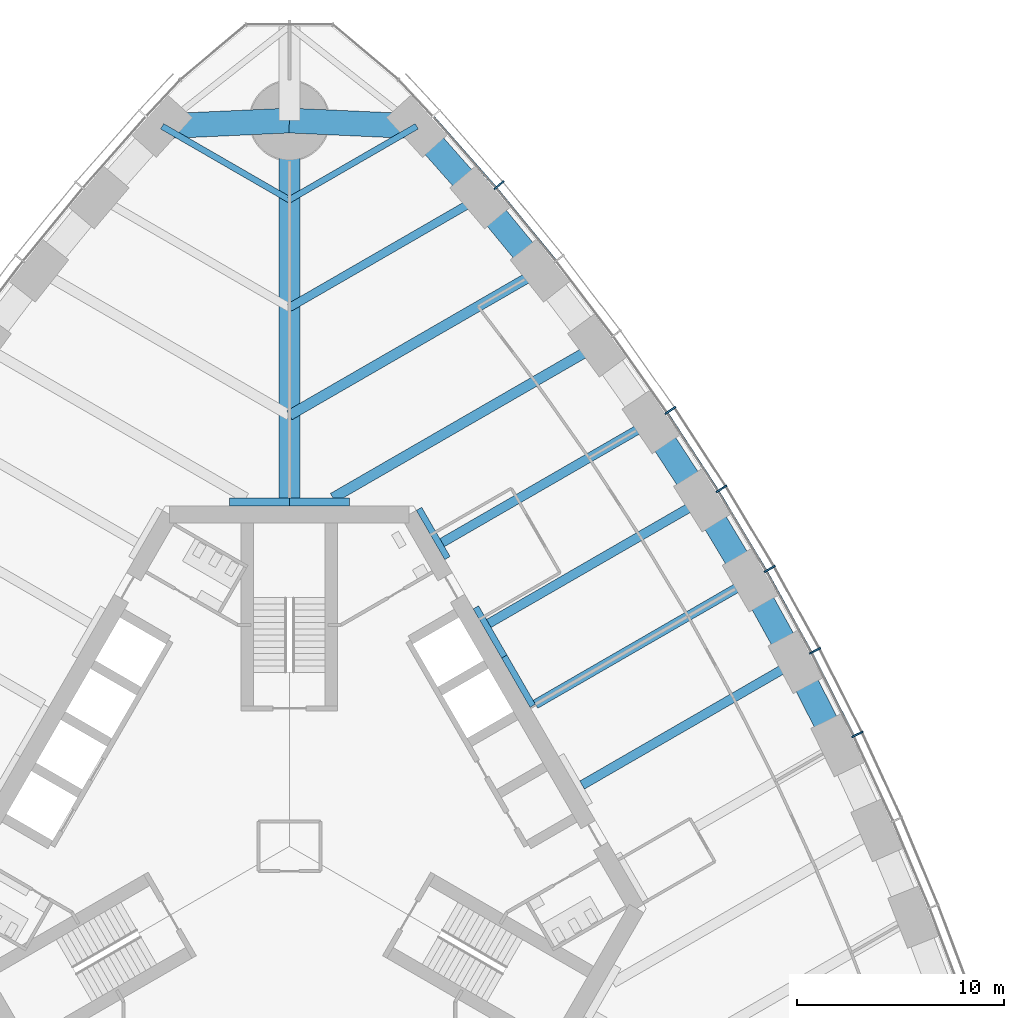
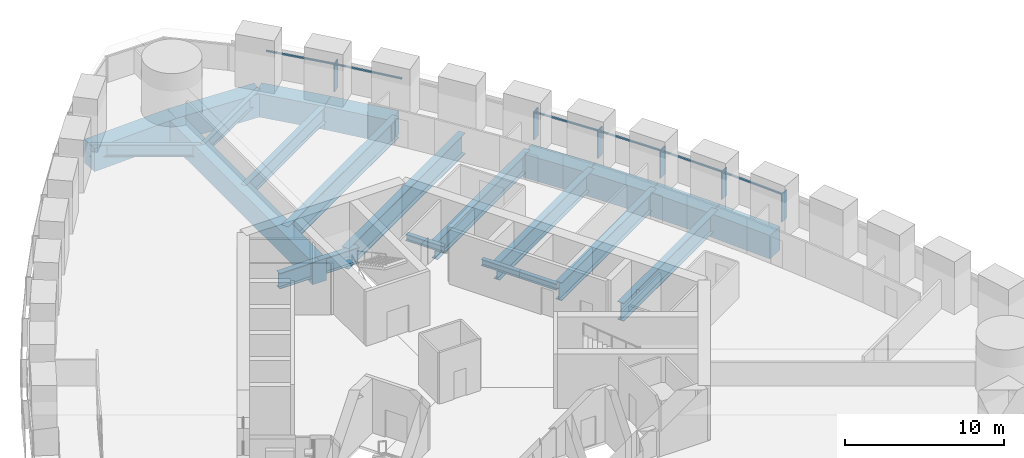
# One storey, part 5 of 18: 23 beams, 12 members, 1 element without a shape of its own.
"""IFC4 building model written with IfcOpenShell, lengths in metres."""

import ifcopenshell
import ifcopenshell.guid

model = None  # the IFC model being written
_history = None  # IfcOwnerHistory: only IFC2X3 demands one
_inside = {}  # id of a spatial element -> (the spatial element, [elements in it])
_under = {}  # id of a project, library or spatial element -> (it, [spatial elements below it])
_declared = {}  # id of a project -> (the project, [libraries it declares])
_typed = {}  # id of a type object -> (the type object, [elements of that type])
_made_of = {}  # id of a material, layer set ... -> (it, [elements and type objects made of it])


def new_model(schema):
    """Start an empty IFC model of exactly this schema.

    Asked for "IFC4X3", IfcOpenShell would pick the latest addendum, in which some entities
    have other attributes; the version numbers below select the first issue.
    IFC2X3 requires an IfcOwnerHistory on every rooted entity: one is made here for all.
    """
    global model, _history
    if schema == "IFC4X3":
        model = ifcopenshell.file(schema_version=(4, 3, 0, 0))
    else:
        model = ifcopenshell.file(schema=schema)
    _inside.clear()
    _under.clear()
    _declared.clear()
    _typed.clear()
    _made_of.clear()
    _history = None
    if model.schema == "IFC2X3":
        org = make("IfcOrganization", Name="unknown")
        user = make(
            "IfcPersonAndOrganization",
            ThePerson=make("IfcPerson", FamilyName="unknown"),
            TheOrganization=org,
        )
        app = make(
            "IfcApplication",
            ApplicationDeveloper=org,
            Version="unknown",
            ApplicationFullName="unknown",
            ApplicationIdentifier="unknown",
        )
        _history = make(
            "IfcOwnerHistory",
            OwningUser=user,
            OwningApplication=app,
            ChangeAction="ADDED",
            CreationDate=0,
        )
    return model


def make(cls, **values):
    """One entity of the class cls with the attributes given. An attribute that is None is left unset."""
    return model.create_entity(
        cls, **{name: value for name, value in values.items() if value is not None}
    )


def rooted(cls, **values):
    """An entity with a GlobalId (a new one), such as an element, a storey or a relation."""
    return make(cls, GlobalId=ifcopenshell.guid.new(), OwnerHistory=_history, **values)


def si_unit(unit_type, name, prefix=None):
    """IfcSIUnit, for example si_unit("LENGTHUNIT", "METRE", prefix="MILLI")."""
    return make("IfcSIUnit", UnitType=unit_type, Prefix=prefix, Name=name)


def assignment(units):
    """IfcUnitAssignment: the units of a project."""
    return None if units is None else make("IfcUnitAssignment", Units=units)


def point(xyz):
    """IfcCartesianPoint."""
    return None if xyz is None else make("IfcCartesianPoint", Coordinates=xyz)


def direction(xyz):
    """IfcDirection."""
    return None if xyz is None else make("IfcDirection", DirectionRatios=xyz)


def frame(location, z_axis=None, x_axis=None):
    """IfcAxis2Placement3D, a coordinate frame: its origin and axes. An axis left out is left unset."""
    return make(
        "IfcAxis2Placement3D",
        Location=point(location),
        Axis=direction(z_axis),
        RefDirection=direction(x_axis),
    )


def frame_2d(location, x_axis=None):
    """IfcAxis2Placement2D, a coordinate frame in the plane: its origin and x axis."""
    return make(
        "IfcAxis2Placement2D", Location=point(location), RefDirection=direction(x_axis)
    )


def origin():
    """The frame at (0, 0, 0) with its axes left unset."""
    return frame((0.0, 0.0, 0.0))


def origin_2d():
    """The frame at (0, 0) in the plane with its x axis left unset."""
    return frame_2d((0.0, 0.0))


def place(relative_to, where):
    """IfcLocalPlacement: puts the frame where relative to a parent placement (None: the world)."""
    return make(
        "IfcLocalPlacement", PlacementRelTo=relative_to, RelativePlacement=where
    )


def context(
    kind, dimensions, precision=None, world=None, true_north=None, identifier=None
):
    """IfcGeometricRepresentationContext, for example the 3D "Model" context."""
    return make(
        "IfcGeometricRepresentationContext",
        ContextIdentifier=identifier,
        ContextType=kind,
        CoordinateSpaceDimension=dimensions,
        Precision=precision,
        WorldCoordinateSystem=world,
        TrueNorth=true_north,
    )


def subcontext(parent, identifier, kind, view, scale=None):
    """IfcGeometricRepresentationSubContext, for example "Body" below "Model"."""
    return make(
        "IfcGeometricRepresentationSubContext",
        ContextIdentifier=identifier,
        ContextType=kind,
        ParentContext=parent,
        TargetScale=scale,
        TargetView=view,
    )


def project(units=None, contexts=None):
    """IfcProject with its units and contexts."""
    return rooted(
        "IfcProject",
        Name="project",
        RepresentationContexts=contexts,
        UnitsInContext=assignment(units),
    )


def spatial(cls, under=None, at=None, **own):
    """A site, building, storey or space (cls), placed at a placement, below another one or the project."""
    s = rooted(cls, ObjectPlacement=at, **own)
    if under is not None:
        _under.setdefault(under.id(), (under, []))[1].append(s)
    return s


def profile(cls, at=None, kind="AREA", **sizes):
    """A parametric profile (cls). Its sizes go by their IFC names, for example OverallWidth=200.0."""
    return make(cls, ProfileType=kind, Position=at, **sizes)


def rectangle(**sizes):
    """IfcRectangleProfileDef."""
    return profile("IfcRectangleProfileDef", **sizes)


def i_section(**sizes):
    """IfcIShapeProfileDef."""
    return profile("IfcIShapeProfileDef", **sizes)


def extrude(swept, where, along, depth):
    """IfcExtrudedAreaSolid: the profile swept, set in the frame where, extruded along a direction by depth."""
    return make(
        "IfcExtrudedAreaSolid",
        SweptArea=swept,
        Position=where,
        ExtrudedDirection=direction(along),
        Depth=depth,
    )


def shape(context_of_items, identifier, shape_type, items):
    """IfcShapeRepresentation: the items that make up one representation, for example the "Body"."""
    return make(
        "IfcShapeRepresentation",
        ContextOfItems=context_of_items,
        RepresentationIdentifier=identifier,
        RepresentationType=shape_type,
        Items=items,
    )


def material(Name=None, Category=None):
    """IfcMaterial."""
    return make("IfcMaterial", Name=Name, Category=Category)


def material_profile(
    of_material, cross_section, Name=None, Category=None, Priority=None
):
    """IfcMaterialProfile: a cross section and its material."""
    return make(
        "IfcMaterialProfile",
        Name=Name,
        Material=of_material,
        Profile=cross_section,
        Priority=Priority,
        Category=Category,
    )


def profile_set(profiles, Name=None, composite=None):
    """IfcMaterialProfileSet."""
    return make(
        "IfcMaterialProfileSet",
        Name=Name,
        MaterialProfiles=profiles,
        CompositeProfile=composite,
    )


def made_of(thing, what):
    """Note that an element or type object is made of a material, layer set ...; save() writes the relation."""
    if what is not None:
        _made_of.setdefault(what.id(), (what, []))[1].append(thing)
    return thing


def type_object(cls, material=None, **own):
    """A type object (cls), such as IfcWallType, which elements share."""
    return made_of(rooted(cls, **own), material)


def element(
    cls,
    number,
    at=None,
    inside=None,
    cuts=None,
    type_object=None,
    material=None,
    context=None,
    identifier="Body",
    shape_type=None,
    held_by="IfcProductDefinitionShape",
    body=None,
    shapes=None,
    **own,
):
    """One element of the class cls, such as IfcWall. Its Tag is "e" and its number.

    at: its placement. inside: the storey or other place that contains it. cuts: it is an
    opening in that element (IfcRelVoidsElement). A single representation is given by context,
    identifier, shape_type and body (its items); several are given by shapes. held_by: the class
    of the entity that holds the representations. save() writes the other relations.
    """
    e = rooted(cls, Tag="e%d" % number, ObjectPlacement=at, **own)
    if body is not None:
        shapes = [shape(context, identifier, shape_type, body)]
    if shapes is not None:
        e.Representation = make(held_by, Representations=shapes)
    if inside is not None:
        _inside.setdefault(inside.id(), (inside, []))[1].append(e)
    if cuts is not None:
        rooted(
            "IfcRelVoidsElement", RelatingBuildingElement=cuts, RelatedOpeningElement=e
        )
    if type_object is not None:
        _typed.setdefault(type_object.id(), (type_object, []))[1].append(e)
    return made_of(e, material)


def aggregate(whole, parts):
    """IfcRelAggregates: a whole, such as a stair, and the parts it consists of."""
    return rooted("IfcRelAggregates", RelatingObject=whole, RelatedObjects=parts)


def save(model, path):
    """Write the relations noted so far, then the file.

    IfcRelAggregates (storeys below a building ...), IfcRelContainedInSpatialStructure (elements
    in a storey), IfcRelDefinesByType, IfcRelAssociatesMaterial and IfcRelDeclares: one each for
    every whole, place, type object, material and project.
    """
    for whole, parts in _under.values():
        aggregate(whole, parts)
    for where, things in _inside.values():
        rooted(
            "IfcRelContainedInSpatialStructure",
            RelatedElements=things,
            RelatingStructure=where,
        )
    for kind, things in _typed.values():
        rooted("IfcRelDefinesByType", RelatedObjects=things, RelatingType=kind)
    for what, things in _made_of.values():
        rooted("IfcRelAssociatesMaterial", RelatedObjects=things, RelatingMaterial=what)
    for by, libraries in _declared.values():
        rooted("IfcRelDeclares", RelatingContext=by, RelatedDefinitions=libraries)
    model.write(path)


model = new_model("IFC4")

# Units and contexts
model_context = context("Model", 3, precision=1e-05, world=origin(), true_north=direction((0.0, 1.0)))
body_context = subcontext(model_context, "Body", "Model", "MODEL_VIEW")
ifc_project = project(units=[si_unit("LENGTHUNIT", "METRE"), si_unit("AREAUNIT", "SQUARE_METRE"), si_unit("VOLUMEUNIT", "CUBIC_METRE"), si_unit("PLANEANGLEUNIT", "RADIAN"), si_unit("MASSUNIT", "GRAM", prefix="KILO")], contexts=[model_context])

# Site, building, storey
site_placement = place(None, origin())
site = spatial("IfcSite", under=ifc_project, at=site_placement, CompositionType="ELEMENT")
building_placement = place(site_placement, origin())
building = spatial("IfcBuilding", under=site, at=building_placement, Name="Trefoil Bronze Tower", CompositionType="ELEMENT")
storey_placement = place(building_placement, frame((0.0, 0.0, 174.5)))
storey = spatial("IfcBuildingStorey", under=building, at=storey_placement, Name="L40", CompositionType="ELEMENT", Elevation=174.5)

# Curtain wall, members
ifc_material_1 = material(Name="Tinted solar-control glass", Category="glass")
curtain_wall_type = type_object("IfcCurtainWallType", Name="Bronze office curtain wall", PredefinedType="USERDEFINED", material=ifc_material_1)
curtain_wall_placement = place(storey_placement, origin())
curtain_wall = element("IfcCurtainWall", 1, at=curtain_wall_placement, inside=storey, type_object=curtain_wall_type, Name="CW-A L40 F2", ObjectType="CURTAIN WALL", PredefinedType="USERDEFINED")
ifc_material_2 = material(Name="Bronze-finish aluminium", Category="aluminium")
ifc_material_profile_1 = material_profile(ifc_material_2, rectangle(XDim=0.60009765625, YDim=0.080078125, at=origin_2d()), Name="CW-A mullion")
ifc_profile_set_1 = profile_set([ifc_material_profile_1], Name="Bronze-finish aluminium")
member_type_1 = type_object("IfcMemberType", Name="Bronze office curtain wall mullion", PredefinedType="MULLION", material=ifc_profile_set_1)
member_1_placement = place(storey_placement, frame((27.394775390625, 5.399169921875, 0.0), z_axis=(0.0, 0.0, 1.0), x_axis=(-0.899819602033, -0.436262173236, 0.0)))
member_1 = element("IfcMember", 2, at=member_1_placement, type_object=member_type_1, Name="CW-A L40 F2 mullion 6", PredefinedType="MULLION", context=body_context, shape_type="SweptSolid", body=[
    extrude(rectangle(XDim=0.60009765625, YDim=0.080078125, at=origin_2d()), origin(), (0.0, 0.0, 1.0), 2.14990234375),
])
member_2_placement = place(storey_placement, frame((25.350830078125, 9.427734375, 0.0), z_axis=(0.0, 0.0, 1.0), x_axis=(-0.883486441467, -0.468456729853, 0.0)))
member_2 = element("IfcMember", 3, at=member_2_placement, type_object=member_type_1, Name="CW-A L40 F2 mullion 7", PredefinedType="MULLION", context=body_context, shape_type="SweptSolid", body=[
    extrude(rectangle(XDim=0.60009765625, YDim=0.080078125, at=origin_2d()), origin(), (0.0, 0.0, 1.0), 2.14990234375),
])
member_3_placement = place(storey_placement, frame((23.166015625, 13.374755859375, 0.0), z_axis=(0.0, 0.0, 1.0), x_axis=(-0.866025403784, -0.5, 0.0)))
member_3 = element("IfcMember", 4, at=member_3_placement, type_object=member_type_1, Name="CW-A L40 F2 mullion 8", PredefinedType="MULLION", context=body_context, shape_type="SweptSolid", body=[
    extrude(rectangle(XDim=0.60009765625, YDim=0.080078125, at=origin_2d()), origin(), (0.0, 0.0, 1.0), 2.14990234375),
])
member_4_placement = place(storey_placement, frame((20.840087890625, 17.24072265625, 0.0), z_axis=(0.0, 0.0, 1.0), x_axis=(-0.84743864936, -0.530893337283, 0.0)))
member_4 = element("IfcMember", 5, at=member_4_placement, type_object=member_type_1, Name="CW-A L40 F2 mullion 9", PredefinedType="MULLION", context=body_context, shape_type="SweptSolid", body=[
    extrude(rectangle(XDim=0.60009765625, YDim=0.080078125, at=origin_2d()), origin(), (0.0, 0.0, 1.0), 2.14990234375),
])
member_5_placement = place(storey_placement, frame((18.373046875, 21.025146484375, 0.0), z_axis=(0.0, 0.0, 1.0), x_axis=(-0.827723925749, -0.561135547566, 0.0)))
member_5 = element("IfcMember", 6, at=member_5_placement, type_object=member_type_1, Name="CW-A L40 F2 mullion 10", PredefinedType="MULLION", context=body_context, shape_type="SweptSolid", body=[
    extrude(rectangle(XDim=0.60009765625, YDim=0.080078125, at=origin_2d()), origin(), (0.0, 0.0, 1.0), 2.14990234375),
])
member_6_placement = place(storey_placement, frame((10.11474609375, 31.8828125, 0.0), z_axis=(0.0, 0.0, 1.0), x_axis=(-0.761721651066, -0.647904411389, 0.0)))
member_6 = element("IfcMember", 7, at=member_6_placement, type_object=member_type_1, Name="CW-A L40 F2 mullion 13", PredefinedType="MULLION", context=body_context, shape_type="SweptSolid", body=[
    extrude(rectangle(XDim=0.60009765625, YDim=0.080078125, at=origin_2d()), origin(), (0.0, 0.0, 1.0), 2.14990234375),
])
ifc_material_3 = material(Name="Bronze-finish aluminium", Category="aluminium")
ifc_material_profile_2 = material_profile(ifc_material_3, rectangle(XDim=0.1201171875, YDim=0.10009765625, at=origin_2d()), Name="CW-A transom")
ifc_profile_set_2 = profile_set([ifc_material_profile_2], Name="Bronze-finish aluminium")
member_type_2 = type_object("IfcMemberType", Name="Bronze office curtain wall transom", PredefinedType="USERDEFINED", material=ifc_profile_set_2)
member_7_placement = place(storey_placement, frame((27.196044921875, 5.34912109375, 2.10009765625), z_axis=(-0.452478489814, 0.891775317138, 0.0), x_axis=(-0.891775317138, -0.452478489814, 0.0)))
member_7 = element("IfcMember", 8, at=member_7_placement, type_object=member_type_2, Name="CW-A L40 F2 transom 6", ObjectType="TRANSOM", PredefinedType="USERDEFINED", context=body_context, shape_type="SweptSolid", body=[
    extrude(rectangle(XDim=0.1201171875, YDim=0.10009765625, at=origin_2d()), origin(), (0.0, 0.0, 1.0), 4.426513671875),
])
member_8_placement = place(storey_placement, frame((25.154052734375, 9.37060546875, 2.10009765625), z_axis=(-0.484329470343, 0.874885686337, 0.0), x_axis=(-0.874885686337, -0.484329470343, 0.0)))
member_8 = element("IfcMember", 9, at=member_8_placement, type_object=member_type_2, Name="CW-A L40 F2 transom 7", ObjectType="TRANSOM", PredefinedType="USERDEFINED", context=body_context, shape_type="SweptSolid", body=[
    extrude(rectangle(XDim=0.1201171875, YDim=0.10009765625, at=origin_2d()), origin(), (0.0, 0.0, 1.0), 4.4208984375),
])
member_9_placement = place(storey_placement, frame((22.97119140625, 13.310546875, 2.10009765625), z_axis=(-0.515526794174, 0.856873458854, 0.0), x_axis=(-0.856873458854, -0.515526794174, 0.0)))
member_9 = element("IfcMember", 10, at=member_9_placement, type_object=member_type_2, Name="CW-A L40 F2 transom 8", ObjectType="TRANSOM", PredefinedType="USERDEFINED", context=body_context, shape_type="SweptSolid", body=[
    extrude(rectangle(XDim=0.1201171875, YDim=0.10009765625, at=origin_2d()), origin(), (0.0, 0.0, 1.0), 4.4208984375),
])
member_10_placement = place(storey_placement, frame((20.647705078125, 17.16943359375, 2.10009765625), z_axis=(-0.546079336226, 0.837733465099, 0.0), x_axis=(-0.837733465099, -0.546079336226, 0.0)))
member_10 = element("IfcMember", 11, at=member_10_placement, type_object=member_type_2, Name="CW-A L40 F2 transom 9", ObjectType="TRANSOM", PredefinedType="USERDEFINED", context=body_context, shape_type="SweptSolid", body=[
    extrude(rectangle(XDim=0.1201171875, YDim=0.10009765625, at=origin_2d()), origin(), (0.0, 0.0, 1.0), 4.426513671875),
])
member_11_placement = place(storey_placement, frame((12.82861328125, 28.255615234375, 2.10009765625), z_axis=(-0.633848872297, 0.773456919995, 0.0), x_axis=(-0.773456919995, -0.633848872297, 0.0)))
member_11 = element("IfcMember", 12, at=member_11_placement, type_object=member_type_2, Name="CW-A L40 F2 transom 12", ObjectType="TRANSOM", PredefinedType="USERDEFINED", context=body_context, shape_type="SweptSolid", body=[
    extrude(rectangle(XDim=0.1201171875, YDim=0.10009765625, at=origin_2d()), origin(), (0.0, 0.0, 1.0), 4.480224609375),
])
member_12_placement = place(storey_placement, frame((9.9345703125, 31.78466796875, 2.10009765625), z_axis=(-0.66173618877, 0.749736764786, 0.0), x_axis=(-0.749736764786, -0.66173618877, 0.0)))
member_12 = element("IfcMember", 13, at=member_12_placement, type_object=member_type_2, Name="CW-A L40 F2 transom 13", ObjectType="TRANSOM", PredefinedType="USERDEFINED", context=body_context, shape_type="SweptSolid", body=[
    extrude(rectangle(XDim=0.1201171875, YDim=0.10009765625, at=origin_2d()), origin(), (0.0, 0.0, 1.0), 4.510986328125),
])
aggregate(curtain_wall, [member_1, member_2, member_3, member_4, member_5, member_6, member_7, member_8, member_9, member_10, member_11, member_12])

# Beams
ifc_material_4 = material(Name="Steel C355", Category="steel")
ifc_material_profile_3 = material_profile(ifc_material_4, i_section(OverallWidth=0.300048828125, OverallDepth=0.5, WebThickness=0.014404296875, FlangeThickness=0.028076171875, FilletRadius=0.027099609375, at=origin_2d()), Name="HEB 500")
ifc_profile_set_3 = profile_set([ifc_material_profile_3], Name="Steel C355")
beam_type_1 = type_object("IfcBeamType", Name="Core seat beam HEB 500", PredefinedType="BEAM", material=ifc_profile_set_3)
for number, where, z_axis, x_axis, name in (
    (14, (11.734619140625, 6.77490234375, -0.449951171875), (-0.499969057507, 0.866043267704, 0.0), (-0.866043267704, -0.499969057507, 0.0), "Core seat beam F2/+0 L40"),
    (15, (10.363525390625, 9.14990234375, -0.449951171875), (-0.500035825175, 0.866004719122, 0.0), (-0.866004719122, -0.500035825175, 0.0), "Core seat beam F2/+1 L40"),
    (16, (7.62109375, 13.89990234375, -0.449951171875), (-0.500035825175, 0.866004719122, 0.0), (-0.866004719122, -0.500035825175, 0.0), "Core seat beam F2/+2 L40"),
):
    element("IfcBeam", number, at=place(storey_placement, frame(where, z_axis=z_axis, x_axis=x_axis)), inside=storey, type_object=beam_type_1, Name=name, PredefinedType="BEAM", context=body_context, shape_type="SweptSolid", body=[
        extrude(i_section(OverallWidth=0.300048828125, OverallDepth=0.5, WebThickness=0.014404296875, FlangeThickness=0.028076171875, FilletRadius=0.027099609375, at=origin_2d()), origin(), (0.0, 0.0, 1.0), 2.742431640625),
    ])
ifc_material_5 = material(Name="Steel C355", Category="steel")
ifc_material_profile_4 = material_profile(ifc_material_5, i_section(OverallWidth=0.39990234375, OverallDepth=1.199951171875, WebThickness=0.02001953125, FlangeThickness=0.0400390625, FilletRadius=0.010009765625, at=origin_2d()), Name="WPG 1200")
ifc_profile_set_4 = profile_set([ifc_material_profile_4], Name="Steel C355")
beam_type_2 = type_object("IfcBeamType", Name="Core seat beam WPG 1200", PredefinedType="BEAM", material=ifc_profile_set_4)
for number, where, z_axis, x_axis, name in (
    (17, (2.88671875, 16.60009765625, -0.800048828125), (-1.0, 0.0, 0.0), (0.0, -1.0, 0.0), "Core seat beam F2/+3 L40"),
    (18, (0.0, 16.60009765625, -0.800048828125), (-1.0, 0.0, 0.0), (0.0, -1.0, 0.0), "Core seat beam F3/-3 L40"),
):
    element("IfcBeam", number, at=place(storey_placement, frame(where, z_axis=z_axis, x_axis=x_axis)), inside=storey, type_object=beam_type_2, Name=name, PredefinedType="BEAM", context=body_context, shape_type="SweptSolid", body=[
        extrude(i_section(OverallWidth=0.39990234375, OverallDepth=1.199951171875, WebThickness=0.02001953125, FlangeThickness=0.0400390625, FilletRadius=0.010009765625, at=origin_2d()), origin(), (0.0, 0.0, 1.0), 2.88671875),
    ])
ifc_material_6 = material(Name="Concrete B80", Category="concrete")
ifc_material_profile_5 = material_profile(ifc_material_6, rectangle(XDim=1.0, YDim=1.699951171875, at=origin_2d()), Name="RC 1000x1700")
ifc_profile_set_5 = profile_set([ifc_material_profile_5], Name="Concrete B80")
beam_type_3 = type_object("IfcBeamType", Name="Corner girder RC 1000x1700", PredefinedType="BEAM", material=ifc_profile_set_5)
beam_1_placement = place(storey_placement, frame((0.0, 16.39990234375, -1.050048828125), z_axis=(0.0, 1.0, 0.0), x_axis=(-1.0, 0.0, 0.0)))
element("IfcBeam", 19, at=beam_1_placement, inside=storey, type_object=beam_type_3, Name="Corner girder K2 L40", PredefinedType="BEAM", context=body_context, shape_type="SweptSolid", body=[
    extrude(rectangle(XDim=1.0, YDim=1.699951171875, at=origin_2d()), origin(), (0.0, 0.0, 1.0), 18.60009765625),
])
ifc_material_7 = material(Name="Concrete B80", Category="concrete")
ifc_material_profile_6 = material_profile(ifc_material_7, rectangle(XDim=1.199951171875, YDim=1.800048828125, at=origin_2d()), Name="RC 1200x1800")
ifc_profile_set_6 = profile_set([ifc_material_profile_6], Name="Concrete B80")
beam_type_4 = type_object("IfcBeamType", Name="End spandrel beam RC 1200x1800", PredefinedType="SPANDREL", material=ifc_profile_set_6)
for number, where, z_axis, x_axis, name in (
    (20, (6.13916015625, 34.72119140625, -1.10009765625), (-0.998970341464, 0.045368015985, 0.0), (-0.045368015985, -0.998970341464, 0.0), "Spandrel F2.14 L40"),
    (21, (0.0, 35.0, -1.10009765625), (-0.998970341464, -0.045368015985, 0.0), (0.045368015985, -0.998970341464, 0.0), "Spandrel F3.1 L40"),
):
    element("IfcBeam", number, at=place(storey_placement, frame(where, z_axis=z_axis, x_axis=x_axis)), inside=storey, type_object=beam_type_4, Name=name, PredefinedType="SPANDREL", context=body_context, shape_type="SweptSolid", body=[
        extrude(rectangle(XDim=1.199951171875, YDim=1.800048828125, at=origin_2d()), origin(), (0.0, 0.0, 1.0), 6.1455078125),
    ])
ifc_material_8 = material(Name="Steel C355", Category="steel")
ifc_material_profile_7 = material_profile(ifc_material_8, i_section(OverallWidth=0.300048828125, OverallDepth=0.89990234375, WebThickness=0.0185546875, FlangeThickness=0.034912109375, FilletRadius=0.030029296875, at=origin_2d()), Name="HEB 900")
ifc_profile_set_7 = profile_set([ifc_material_profile_7], Name="Steel C355")
beam_type_5 = type_object("IfcBeamType", Name="Floor beam HEB 900", PredefinedType="BEAM", material=ifc_profile_set_7)
for number, where, z_axis, x_axis, name in (
    (22, (6.13916015625, 34.72119140625, -0.64990234375), (-0.866041060244, -0.499972881236, 0.0), (0.499972881236, -0.866041060244, 0.0), "Floor beam F2/+6 L40"),
    (23, (-6.13916015625, 34.72119140625, -0.64990234375), (0.866041060244, -0.499972881236, 0.0), (0.499972881236, 0.866041060244, 0.0), "Floor beam F3/-6 L40"),
):
    element("IfcBeam", number, at=place(storey_placement, frame(where, z_axis=z_axis, x_axis=x_axis)), inside=storey, type_object=beam_type_5, Name=name, PredefinedType="BEAM", context=body_context, shape_type="SweptSolid", body=[
        extrude(i_section(OverallWidth=0.300048828125, OverallDepth=0.89990234375, WebThickness=0.0185546875, FlangeThickness=0.034912109375, FilletRadius=0.030029296875, at=origin_2d()), origin(), (0.0, 0.0, 1.0), 7.0888671875),
    ])
ifc_material_9 = material(Name="Steel C355", Category="steel")
ifc_material_profile_8 = material_profile(ifc_material_9, i_section(OverallWidth=0.39990234375, OverallDepth=1.199951171875, WebThickness=0.02001953125, FlangeThickness=0.0400390625, FilletRadius=0.010009765625, at=origin_2d()), Name="WPG 1200")
ifc_profile_set_8 = profile_set([ifc_material_profile_8], Name="Steel C355")
beam_type_6 = type_object("IfcBeamType", Name="Floor beam WPG 1200", PredefinedType="BEAM", material=ifc_profile_set_8)
beam_2_placement = place(storey_placement, frame((9.181884765625, 31.281982421875, -0.800048828125), z_axis=(-0.866021079084, -0.500007490527, 0.0), x_axis=(0.500007490527, -0.866021079084, 0.0)))
element("IfcBeam", 24, at=beam_2_placement, inside=storey, type_object=beam_type_6, Name="Floor beam F2/+5 L40", PredefinedType="BEAM", context=body_context, shape_type="SweptSolid", body=[
    extrude(i_section(OverallWidth=0.39990234375, OverallDepth=1.199951171875, WebThickness=0.02001953125, FlangeThickness=0.0400390625, FilletRadius=0.010009765625, at=origin_2d()), origin(), (0.0, 0.0, 1.0), 10.602294921875),
])
ifc_material_10 = material(Name="Steel C355", Category="steel")
ifc_material_profile_9 = material_profile(ifc_material_10, i_section(OverallWidth=0.449951171875, OverallDepth=1.39990234375, WebThickness=0.02294921875, FlangeThickness=0.044921875, FilletRadius=0.011962890625, at=origin_2d()), Name="WPG 1400")
ifc_profile_set_9 = profile_set([ifc_material_profile_9], Name="Steel C355")
beam_type_7 = type_object("IfcBeamType", Name="Floor beam WPG 1400", PredefinedType="BEAM", material=ifc_profile_set_9)
beam_3_placement = place(storey_placement, frame((24.392578125, 8.886962890625, -0.89990234375), z_axis=(-0.866024236736, -0.500002021381, 0.0), x_axis=(0.500002021381, -0.866024236736, 0.0)))
element("IfcBeam", 25, at=beam_3_placement, inside=storey, type_object=beam_type_7, Name="Floor beam F2/-1 L40", PredefinedType="BEAM", context=body_context, shape_type="SweptSolid", body=[
    extrude(i_section(OverallWidth=0.449951171875, OverallDepth=1.39990234375, WebThickness=0.02294921875, FlangeThickness=0.044921875, FilletRadius=0.011962890625, at=origin_2d()), origin(), (0.0, 0.0, 1.0), 11.8681640625),
])
beam_4_placement = place(storey_placement, frame((22.21337890625, 12.824951171875, -0.89990234375), z_axis=(-0.866028062731, -0.499995394541, 0.0), x_axis=(0.499995394541, -0.866028062731, 0.0)))
element("IfcBeam", 26, at=beam_4_placement, inside=storey, type_object=beam_type_7, Name="Floor beam F2/+0 L40", PredefinedType="BEAM", context=body_context, shape_type="SweptSolid", body=[
    extrude(i_section(OverallWidth=0.449951171875, OverallDepth=1.39990234375, WebThickness=0.02294921875, FlangeThickness=0.044921875, FilletRadius=0.011962890625, at=origin_2d()), origin(), (0.0, 0.0, 1.0), 11.94970703125),
])
beam_5_placement = place(storey_placement, frame((19.892578125, 16.68115234375, -0.89990234375), z_axis=(-0.866024236736, -0.500002021381, 0.0), x_axis=(0.500002021381, -0.866024236736, 0.0)))
element("IfcBeam", 27, at=beam_5_placement, inside=storey, type_object=beam_type_7, Name="Floor beam F2/+1 L40", PredefinedType="BEAM", context=body_context, shape_type="SweptSolid", body=[
    extrude(i_section(OverallWidth=0.449951171875, OverallDepth=1.39990234375, WebThickness=0.02294921875, FlangeThickness=0.044921875, FilletRadius=0.011962890625, at=origin_2d()), origin(), (0.0, 0.0, 1.0), 11.8681640625),
])
beam_6_placement = place(storey_placement, frame((17.43017578125, 20.45556640625, -0.89990234375), z_axis=(-0.866030626868, -0.499990953245, 0.0), x_axis=(0.499990953245, -0.866030626868, 0.0)))
element("IfcBeam", 28, at=beam_6_placement, inside=storey, type_object=beam_type_7, Name="Floor beam F2/+2 L40", PredefinedType="BEAM", context=body_context, shape_type="SweptSolid", body=[
    extrude(i_section(OverallWidth=0.449951171875, OverallDepth=1.39990234375, WebThickness=0.02294921875, FlangeThickness=0.044921875, FilletRadius=0.011962890625, at=origin_2d()), origin(), (0.0, 0.0, 1.0), 11.622802734375),
])
ifc_material_11 = material(Name="Steel C355", Category="steel")
ifc_material_profile_10 = material_profile(ifc_material_11, i_section(OverallWidth=0.5, OverallDepth=1.60009765625, WebThickness=0.02587890625, FlangeThickness=0.050048828125, FilletRadius=0.011962890625, at=origin_2d()), Name="WPG 1600")
ifc_profile_set_10 = profile_set([ifc_material_profile_10], Name="Steel C355")
beam_type_8 = type_object("IfcBeamType", Name="Floor beam WPG 1600", PredefinedType="BEAM", material=ifc_profile_set_10)
beam_7_placement = place(storey_placement, frame((14.825439453125, 24.14794921875, -1.0), z_axis=(-0.866027342682, -0.499996641717, 0.0), x_axis=(0.499996641717, -0.866027342682, 0.0)))
element("IfcBeam", 29, at=beam_7_placement, inside=storey, type_object=beam_type_8, Name="Floor beam F2/+3 L40", PredefinedType="BEAM", context=body_context, shape_type="SweptSolid", body=[
    extrude(i_section(OverallWidth=0.5, OverallDepth=1.60009765625, WebThickness=0.02587890625, FlangeThickness=0.050048828125, FilletRadius=0.011962890625, at=origin_2d()), origin(), (0.0, 0.0, 1.0), 14.69580078125),
])
beam_8_placement = place(storey_placement, frame((12.07666015625, 27.757080078125, -1.0), z_axis=(-0.866026983775, -0.499997263366, 0.0), x_axis=(0.499997263366, -0.866026983775, 0.0)))
element("IfcBeam", 30, at=beam_8_placement, inside=storey, type_object=beam_type_8, Name="Floor beam F2/+4 L40", PredefinedType="BEAM", context=body_context, shape_type="SweptSolid", body=[
    extrude(i_section(OverallWidth=0.5, OverallDepth=1.60009765625, WebThickness=0.02587890625, FlangeThickness=0.050048828125, FilletRadius=0.011962890625, at=origin_2d()), origin(), (0.0, 0.0, 1.0), 13.94482421875),
])
ifc_material_12 = material(Name="Concrete B80", Category="concrete")
ifc_material_profile_11 = material_profile(ifc_material_12, rectangle(XDim=1.199951171875, YDim=1.800048828125, at=origin_2d()), Name="RC 1200x1800")
ifc_profile_set_11 = profile_set([ifc_material_profile_11], Name="Concrete B80")
beam_type_9 = type_object("IfcBeamType", Name="Spandrel beam RC 1200x1800", PredefinedType="SPANDREL", material=ifc_profile_set_11)
beam_9_placement = place(storey_placement, frame((26.43017578125, 4.8671875, -1.10009765625), z_axis=(-0.452125717735, 0.891954222683, 0.0), x_axis=(-0.891954222683, -0.452125717735, 0.0)))
element("IfcBeam", 31, at=beam_9_placement, inside=storey, type_object=beam_type_9, Name="Spandrel F2.6 L40", PredefinedType="SPANDREL", context=body_context, shape_type="SweptSolid", body=[
    extrude(rectangle(XDim=1.199951171875, YDim=1.800048828125, at=origin_2d()), origin(), (0.0, 0.0, 1.0), 4.506591796875),
])
for number, where, z_axis, x_axis, name in (
    (32, (24.392578125, 8.886962890625, -1.10009765625), (-0.484186866546, 0.874964615436, 0.0), (-0.874964615436, -0.484186866546, 0.0), "Spandrel F2.7 L40"),
    (33, (22.21337890625, 12.824951171875, -1.10009765625), (-0.515651979972, 0.856798129988, 0.0), (-0.856798129988, -0.515651979972, 0.0), "Spandrel F2.8 L40"),
):
    element("IfcBeam", number, at=place(storey_placement, frame(where, z_axis=z_axis, x_axis=x_axis)), inside=storey, type_object=beam_type_9, Name=name, PredefinedType="SPANDREL", context=body_context, shape_type="SweptSolid", body=[
        extrude(rectangle(XDim=1.199951171875, YDim=1.800048828125, at=origin_2d()), origin(), (0.0, 0.0, 1.0), 4.500732421875),
    ])
beam_10_placement = place(storey_placement, frame((19.892578125, 16.68115234375, -1.10009765625), z_axis=(-0.546396670296, 0.83752652417, 0.0), x_axis=(-0.83752652417, -0.546396670296, 0.0)))
element("IfcBeam", 34, at=beam_10_placement, inside=storey, type_object=beam_type_9, Name="Spandrel F2.9 L40", PredefinedType="SPANDREL", context=body_context, shape_type="SweptSolid", body=[
    extrude(rectangle(XDim=1.199951171875, YDim=1.800048828125, at=origin_2d()), origin(), (0.0, 0.0, 1.0), 4.506591796875),
])
beam_11_placement = place(storey_placement, frame((12.07666015625, 27.757080078125, -1.10009765625), z_axis=(-0.634650386838, 0.772799383079, 0.0), x_axis=(-0.772799383079, -0.634650386838, 0.0)))
element("IfcBeam", 35, at=beam_11_placement, inside=storey, type_object=beam_type_9, Name="Spandrel F2.12 L40", PredefinedType="SPANDREL", context=body_context, shape_type="SweptSolid", body=[
    extrude(rectangle(XDim=1.199951171875, YDim=1.800048828125, at=origin_2d()), origin(), (0.0, 0.0, 1.0), 4.561279296875),
])
beam_12_placement = place(storey_placement, frame((9.181884765625, 31.281982421875, -1.10009765625), z_axis=(-0.662616326239, 0.748959013699, 0.0), x_axis=(-0.748959013699, -0.662616326239, 0.0)))
element("IfcBeam", 36, at=beam_12_placement, inside=storey, type_object=beam_type_9, Name="Spandrel F2.13 L40", PredefinedType="SPANDREL", context=body_context, shape_type="SweptSolid", body=[
    extrude(rectangle(XDim=1.199951171875, YDim=1.800048828125, at=origin_2d()), origin(), (0.0, 0.0, 1.0), 4.592041015625),
])

save(model, "model.ifc")
